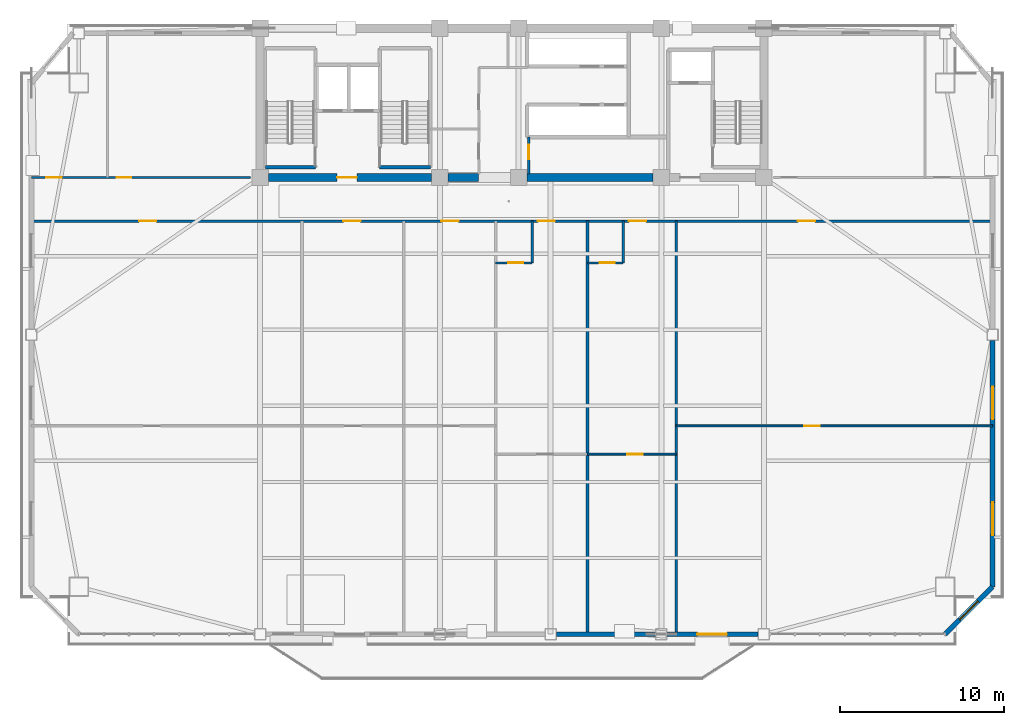
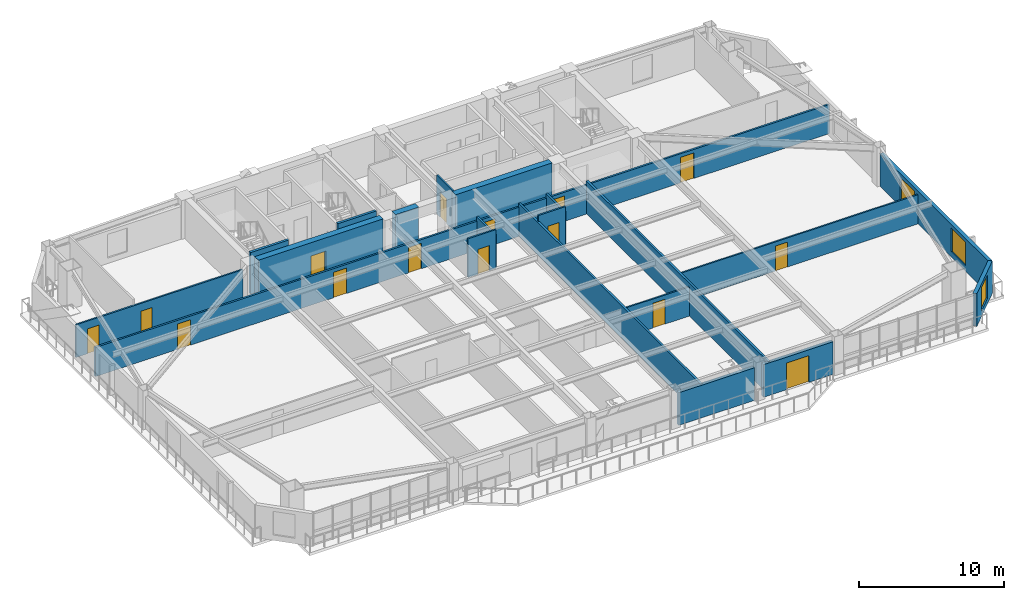
# One storey, part 8 of 15: 20 walls, 15 doors, 3 windows, 18 openings.
"""IFC4 building model written with IfcOpenShell, lengths in metres."""

from ifc_helpers import new_model, si_unit, direction, frame, frame_2d, origin, place, context, subcontext, project, spatial, rectangle, extrude, source, transform, mapped, material, layer, layer_set, type_object, element, fill, save


model = new_model("IFC4")

# Units and contexts
model_context = context("Model", 3, precision=1e-05, world=origin(), true_north=direction((0.0, 1.0)))
body_context = subcontext(model_context, "Body", "Model", "MODEL_VIEW")
ifc_project = project(units=[si_unit("LENGTHUNIT", "METRE"), si_unit("AREAUNIT", "SQUARE_METRE"), si_unit("VOLUMEUNIT", "CUBIC_METRE"), si_unit("PLANEANGLEUNIT", "RADIAN"), si_unit("MASSUNIT", "GRAM", prefix="KILO")], contexts=[model_context])

# Site, building, storey
site_placement = place(None, origin())
site = spatial("IfcSite", under=ifc_project, at=site_placement, CompositionType="ELEMENT")
building_placement = place(site_placement, origin())
building = spatial("IfcBuilding", under=site, at=building_placement, Name="Giltprow Tower", CompositionType="ELEMENT")
storey_placement = place(building_placement, frame((0.0, 0.0, 170.199951171875)))
storey = spatial("IfcBuildingStorey", under=building, at=storey_placement, Name="L42", CompositionType="ELEMENT", Elevation=170.199951171875)

# Wall, opening, window
ifc_material_1 = material(Name="Precast concrete C40", Category="concrete")
ifc_layer_1 = layer(ifc_material_1, 0.300048828125, Name="Precast concrete C40")
ifc_layer_set_1 = layer_set([ifc_layer_1], Name="Precast concrete C40")
wall_type_1 = type_object("IfcWallType", Name="EW-NOTCH-CHAMFER-300", PredefinedType="SOLIDWALL", material=ifc_layer_set_1)
wall_1_placement = place(storey_placement, frame((61.593994140625, 9.6259765625, 0.0), z_axis=(0.0, 0.0, 1.0), x_axis=(0.707106781187, 0.707106781187, 0.0)))
wall_1 = element("IfcWall", 1, at=wall_1_placement, inside=storey, type_object=wall_type_1, Name="L42 Corner Notch Wall SE", PredefinedType="SOLIDWALL", context=body_context, shape_type="SweptSolid", body=[
    extrude(rectangle(XDim=4.082763671875, YDim=0.300048828125, at=frame_2d((2.04150390625, 0.0))), origin(), (0.0, 0.0, 1.0), 2.75),
])
opening_1_placement = place(wall_1_placement, frame((1.240966796875, 0.0, 0.449951171875)))
opening_1 = element("IfcOpeningElement", 2, at=opening_1_placement, cuts=wall_1, Name="Opening WN17", PredefinedType="OPENING", context=body_context, shape_type="SweptSolid", body=[
    extrude(rectangle(XDim=1.60009765625, YDim=2.0, at=frame_2d((0.800048828125, 1.0))), frame((0.0, 0.159912109375, 0.0), z_axis=(0.0, -1.0, 0.0), x_axis=(1.0, 0.0, 0.0)), (0.0, 0.0, 1.0), 0.320068359375),
])
ifc_material_2 = material(Name="Insulated glass", Category="glass")
window_type_1 = type_object("IfcWindowType", Name="WN-COR-1600x2000", PartitioningType="SINGLE_PANEL", PredefinedType="WINDOW", material=ifc_material_2)
shared_shape_1 = source(origin(), body_context, "Body", "SweptSolid", [
    extrude(rectangle(XDim=1.60009765625, YDim=2.0, at=frame_2d((0.800048828125, 1.0))), frame((0.0, 0.030029296875, 0.0), z_axis=(0.0, -1.0, 0.0), x_axis=(1.0, 0.0, 0.0)), (0.0, 0.0, 1.0), 0.06005859375),
])
window_1_placement = place(opening_1_placement, origin())
window_1 = element("IfcWindow", 3, at=window_1_placement, inside=storey, type_object=window_type_1, Name="L42 Corner Notch Window SE", OverallHeight=2.0, OverallWidth=1.60009765625, PartitioningType="SINGLE_PANEL", PredefinedType="WINDOW", context=body_context, shape_type="MappedRepresentation", body=[
    mapped(shared_shape_1, transform((0.0, 0.0, 0.0), x_axis=(1.0, 0.0, 0.0), y_axis=(0.0, 1.0, 0.0), z_axis=(0.0, 0.0, 1.0), scale=1.0)),
])
fill(opening_1, window_1)

# Wall
ifc_layer_2 = layer(ifc_material_1, 0.280029296875, Name="Precast concrete C40")
ifc_layer_set_2 = layer_set([ifc_layer_2], Name="Precast concrete C40")
wall_type_2 = type_object("IfcWallType", Name="EW-TOW-BRONZE-280", PredefinedType="SOLIDWALL", material=ifc_layer_set_2)
wall_2_placement = place(storey_placement, frame((37.89990234375, 9.6259765625, 0.0), z_axis=(0.0, 0.0, 1.0), x_axis=(1.0, 0.0, 0.0)))
element("IfcWall", 4, at=wall_2_placement, inside=storey, type_object=wall_type_2, Name="L42 South Expressed Frame Wall 4", PredefinedType="SOLIDWALL", context=body_context, shape_type="SweptSolid", body=[
    extrude(rectangle(XDim=6.050048828125, YDim=0.280029296875, at=frame_2d((3.02490234375, 0.0))), origin(), (0.0, 0.0, 1.0), 2.75),
])

# Wall, opening, door
wall_3_placement = place(storey_placement, frame((44.64990234375, 9.6259765625, 0.0), z_axis=(0.0, 0.0, 1.0), x_axis=(1.0, 0.0, 0.0)))
wall_3 = element("IfcWall", 5, at=wall_3_placement, inside=storey, type_object=wall_type_2, Name="L42 South Expressed Frame Wall 5", PredefinedType="SOLIDWALL", context=body_context, shape_type="SweptSolid", body=[
    extrude(rectangle(XDim=5.550048828125, YDim=0.280029296875, at=frame_2d((2.77490234375, 0.0))), origin(), (0.0, 0.0, 1.0), 2.75),
])
opening_2_placement = place(wall_3_placement, frame((1.85009765625, 0.0, 0.0)))
opening_2 = element("IfcOpeningElement", 6, at=opening_2_placement, cuts=wall_3, Name="Opening ED25", PredefinedType="OPENING", context=body_context, shape_type="SweptSolid", body=[
    extrude(rectangle(XDim=1.800048828125, YDim=2.25, at=frame_2d((0.89990234375, 1.125))), frame((0.0, 0.14990234375, 0.0), z_axis=(0.0, -1.0, 0.0), x_axis=(1.0, 0.0, 0.0)), (0.0, 0.0, 1.0), 0.300048828125),
])
ifc_material_3 = material(Name="Anodized bronze and glass", Category="glass")
door_type_1 = type_object("IfcDoorType", Name="DR-BALC-SLIDE-1800", OperationType="SLIDING_TO_LEFT", PredefinedType="DOOR", material=ifc_material_3)
shared_shape_2 = source(origin(), body_context, "Body", "SweptSolid", [
    extrude(rectangle(XDim=1.800048828125, YDim=2.25, at=frame_2d((0.89990234375, 1.125))), frame((0.0, 0.02490234375, 0.0), z_axis=(0.0, -1.0, 0.0), x_axis=(1.0, 0.0, 0.0)), (0.0, 0.0, 1.0), 0.050048828125),
])
door_1_placement = place(opening_2_placement, origin())
door_1 = element("IfcDoor", 7, at=door_1_placement, inside=storey, type_object=door_type_1, Name="L42 Waterfront Balcony Sliding Door 2", OperationType="SLIDING_TO_LEFT", OverallHeight=2.25, OverallWidth=1.800048828125, PredefinedType="DOOR", context=body_context, shape_type="MappedRepresentation", body=[
    mapped(shared_shape_2, transform((0.0, 0.0, 0.0), x_axis=(1.0, 0.0, 0.0), y_axis=(0.0, 1.0, 0.0), z_axis=(0.0, 0.0, 1.0), scale=1.0)),
])
fill(opening_2, door_1)

# Wall, openings, windows
wall_4_placement = place(storey_placement, frame((64.48095703125, 12.512939453125, 0.0), z_axis=(0.0, 0.0, 1.0), x_axis=(0.0, 1.0, 0.0)))
wall_4 = element("IfcWall", 8, at=wall_4_placement, inside=storey, type_object=wall_type_2, Name="L42 E Wing Masonry Wall 1", PredefinedType="SOLIDWALL", context=body_context, shape_type="SweptSolid", body=[
    extrude(rectangle(XDim=15.0, YDim=0.280029296875, at=frame_2d((7.5, 0.0))), origin(), (0.0, 0.0, 1.0), 2.75),
])
opening_3_placement = place(wall_4_placement, frame((3.139892578125, 0.0, 0.449951171875)))
opening_3 = element("IfcOpeningElement", 9, at=opening_3_placement, cuts=wall_4, Name="Opening WN21", PredefinedType="OPENING", context=body_context, shape_type="SweptSolid", body=[
    extrude(rectangle(XDim=2.0, YDim=2.0, at=frame_2d((1.0, 1.0))), frame((0.0, 0.14990234375, 0.0), z_axis=(0.0, -1.0, 0.0), x_axis=(1.0, 0.0, 0.0)), (0.0, 0.0, 1.0), 0.300048828125),
])
opening_4_placement = place(wall_4_placement, frame((10.199951171875, 0.0, 0.449951171875)))
opening_4 = element("IfcOpeningElement", 10, at=opening_4_placement, cuts=wall_4, Name="Opening WN21", PredefinedType="OPENING", context=body_context, shape_type="SweptSolid", body=[
    extrude(rectangle(XDim=2.0, YDim=2.0, at=frame_2d((1.0, 1.0))), frame((0.0, 0.14990234375, 0.0), z_axis=(0.0, -1.0, 0.0), x_axis=(1.0, 0.0, 0.0)), (0.0, 0.0, 1.0), 0.300048828125),
])
window_type_2 = type_object("IfcWindowType", Name="WN-HTL-2000x2000", PartitioningType="DOUBLE_PANEL_VERTICAL", PredefinedType="WINDOW", material=ifc_material_2)
shared_shape_3 = source(origin(), body_context, "Body", "SweptSolid", [
    extrude(rectangle(XDim=2.0, YDim=2.0, at=frame_2d((1.0, 1.0))), frame((0.0, 0.030029296875, 0.0), z_axis=(0.0, -1.0, 0.0), x_axis=(1.0, 0.0, 0.0)), (0.0, 0.0, 1.0), 0.06005859375),
])
window_2_placement = place(opening_3_placement, origin())
window_2 = element("IfcWindow", 11, at=window_2_placement, inside=storey, type_object=window_type_2, Name="L42 E Wing Window 1-1A", OverallHeight=2.0, OverallWidth=2.0, PartitioningType="SINGLE_PANEL", PredefinedType="WINDOW", context=body_context, shape_type="MappedRepresentation", body=[
    mapped(shared_shape_3, transform((0.0, 0.0, 0.0), x_axis=(1.0, 0.0, 0.0), y_axis=(0.0, 1.0, 0.0), z_axis=(0.0, 0.0, 1.0), scale=1.0)),
])
fill(opening_3, window_2)
window_3_placement = place(opening_4_placement, origin())
window_3 = element("IfcWindow", 12, at=window_3_placement, inside=storey, type_object=window_type_2, Name="L42 E Wing Window 1-1B", OverallHeight=2.0, OverallWidth=2.0, PartitioningType="SINGLE_PANEL", PredefinedType="WINDOW", context=body_context, shape_type="MappedRepresentation", body=[
    mapped(shared_shape_3, transform((0.0, 0.0, 0.0), x_axis=(1.0, 0.0, 0.0), y_axis=(0.0, 1.0, 0.0), z_axis=(0.0, 0.0, 1.0), scale=1.0)),
])
fill(opening_4, window_3)

# Wall, openings, doors
ifc_material_4 = material(Name="Gypsum stud partition", Category="gypsum")
ifc_layer_3 = layer(ifc_material_4, 0.14990234375, Name="Gypsum stud partition")
ifc_layer_set_3 = layer_set([ifc_layer_3], Name="Gypsum stud partition")
wall_type_3 = type_object("IfcWallType", Name="IW-CORR-150", PredefinedType="PARTITIONING", material=ifc_layer_set_3)
wall_5_placement = place(storey_placement, frame((5.9189453125, 34.800048828125, 0.0), z_axis=(0.0, 0.0, 1.0), x_axis=(1.0, 0.0, 0.0)))
wall_5 = element("IfcWall", 13, at=wall_5_placement, inside=storey, type_object=wall_type_3, Name="L42 Hotel Guestroom Corridor Wall", PredefinedType="PARTITIONING", context=body_context, shape_type="SweptSolid", body=[
    extrude(rectangle(XDim=58.56201171875, YDim=0.14990234375, at=frame_2d((29.281005859375, 0.0))), origin(), (0.0, 0.0, 1.0), 2.455078125),
])
opening_5_placement = place(wall_5_placement, frame((6.555908203125, 0.0, 0.0)))
opening_5 = element("IfcOpeningElement", 14, at=opening_5_placement, cuts=wall_5, Name="Opening ID31", PredefinedType="OPENING", context=body_context, shape_type="SweptSolid", body=[
    extrude(rectangle(XDim=1.050048828125, YDim=2.14990234375, at=frame_2d((0.52490234375, 1.074951171875))), frame((0.0, 0.0849609375, 0.0), z_axis=(0.0, -1.0, 0.0), x_axis=(1.0, 0.0, 0.0)), (0.0, 0.0, 1.0), 0.169921875),
])
opening_6_placement = place(wall_5_placement, frame((19.006103515625, 0.0, 0.0)))
opening_6 = element("IfcOpeningElement", 15, at=opening_6_placement, cuts=wall_5, Name="Opening ID31", PredefinedType="OPENING", context=body_context, shape_type="SweptSolid", body=[
    extrude(rectangle(XDim=1.050048828125, YDim=2.14990234375, at=frame_2d((0.52490234375, 1.074951171875))), frame((0.0, 0.0849609375, 0.0), z_axis=(0.0, -1.0, 0.0), x_axis=(1.0, 0.0, 0.0)), (0.0, 0.0, 1.0), 0.169921875),
])
opening_7_placement = place(wall_5_placement, frame((24.97802734375, 0.0, 0.0)))
opening_7 = element("IfcOpeningElement", 16, at=opening_7_placement, cuts=wall_5, Name="Opening ID31", PredefinedType="OPENING", context=body_context, shape_type="SweptSolid", body=[
    extrude(rectangle(XDim=1.050048828125, YDim=2.14990234375, at=frame_2d((0.52490234375, 1.074951171875))), frame((0.0, 0.0849609375, 0.0), z_axis=(0.0, -1.0, 0.0), x_axis=(1.0, 0.0, 0.0)), (0.0, 0.0, 1.0), 0.169921875),
])
opening_8_placement = place(wall_5_placement, frame((30.85107421875, 0.0, 0.0)))
opening_8 = element("IfcOpeningElement", 17, at=opening_8_placement, cuts=wall_5, Name="Opening ID31", PredefinedType="OPENING", context=body_context, shape_type="SweptSolid", body=[
    extrude(rectangle(XDim=1.050048828125, YDim=2.14990234375, at=frame_2d((0.52490234375, 1.074951171875))), frame((0.0, 0.0849609375, 0.0), z_axis=(0.0, -1.0, 0.0), x_axis=(1.0, 0.0, 0.0)), (0.0, 0.0, 1.0), 0.169921875),
])
opening_9_placement = place(wall_5_placement, frame((36.39697265625, 0.0, 0.0)))
opening_9 = element("IfcOpeningElement", 18, at=opening_9_placement, cuts=wall_5, Name="Opening ID31", PredefinedType="OPENING", context=body_context, shape_type="SweptSolid", body=[
    extrude(rectangle(XDim=1.050048828125, YDim=2.14990234375, at=frame_2d((0.52490234375, 1.074951171875))), frame((0.0, 0.0849609375, 0.0), z_axis=(0.0, -1.0, 0.0), x_axis=(1.0, 0.0, 0.0)), (0.0, 0.0, 1.0), 0.169921875),
])
opening_10_placement = place(wall_5_placement, frame((46.700927734375, 0.0, 0.0)))
opening_10 = element("IfcOpeningElement", 19, at=opening_10_placement, cuts=wall_5, Name="Opening ID31", PredefinedType="OPENING", context=body_context, shape_type="SweptSolid", body=[
    extrude(rectangle(XDim=1.050048828125, YDim=2.14990234375, at=frame_2d((0.52490234375, 1.074951171875))), frame((0.0, 0.0849609375, 0.0), z_axis=(0.0, -1.0, 0.0), x_axis=(1.0, 0.0, 0.0)), (0.0, 0.0, 1.0), 0.169921875),
])
ifc_material_5 = material(Name="Engineered timber", Category="wood")
door_type_2 = type_object("IfcDoorType", Name="DR-SUITE-1050", OperationType="SINGLE_SWING_LEFT", PredefinedType="DOOR", material=ifc_material_5)
shared_shape_4 = source(origin(), body_context, "Body", "SweptSolid", [
    extrude(rectangle(XDim=1.050048828125, YDim=2.14990234375, at=frame_2d((0.52490234375, 1.074951171875))), frame((0.0, 0.02490234375, 0.0), z_axis=(0.0, -1.0, 0.0), x_axis=(1.0, 0.0, 0.0)), (0.0, 0.0, 1.0), 0.050048828125),
])
door_2_placement = place(opening_5_placement, origin())
door_2 = element("IfcDoor", 20, at=door_2_placement, inside=storey, type_object=door_type_2, Name="L42 Suite Reception Foyer Door", OperationType="SINGLE_SWING_LEFT", OverallHeight=2.14990234375, OverallWidth=1.050048828125, PredefinedType="DOOR", context=body_context, shape_type="MappedRepresentation", body=[
    mapped(shared_shape_4, transform((0.0, 0.0, 0.0), x_axis=(1.0, 0.0, 0.0), y_axis=(0.0, 1.0, 0.0), z_axis=(0.0, 0.0, 1.0), scale=1.0)),
])
fill(opening_5, door_2)
door_3_placement = place(opening_6_placement, origin())
door_3 = element("IfcDoor", 21, at=door_3_placement, inside=storey, type_object=door_type_2, Name="L42 Suite Reception Foyer Door", OperationType="SINGLE_SWING_LEFT", OverallHeight=2.14990234375, OverallWidth=1.050048828125, PredefinedType="DOOR", context=body_context, shape_type="MappedRepresentation", body=[
    mapped(shared_shape_4, transform((0.0, 0.0, 0.0), x_axis=(1.0, 0.0, 0.0), y_axis=(0.0, 1.0, 0.0), z_axis=(0.0, 0.0, 1.0), scale=1.0)),
])
fill(opening_6, door_3)
door_4_placement = place(opening_7_placement, origin())
door_4 = element("IfcDoor", 22, at=door_4_placement, inside=storey, type_object=door_type_2, Name="L42 Suite Reception Foyer Door", OperationType="SINGLE_SWING_LEFT", OverallHeight=2.14990234375, OverallWidth=1.050048828125, PredefinedType="DOOR", context=body_context, shape_type="MappedRepresentation", body=[
    mapped(shared_shape_4, transform((0.0, 0.0, 0.0), x_axis=(1.0, 0.0, 0.0), y_axis=(0.0, 1.0, 0.0), z_axis=(0.0, 0.0, 1.0), scale=1.0)),
])
fill(opening_7, door_4)
door_5_placement = place(opening_8_placement, origin())
door_5 = element("IfcDoor", 23, at=door_5_placement, inside=storey, type_object=door_type_2, Name="L42 Hotel Room 4 Entry Door", OperationType="SINGLE_SWING_LEFT", OverallHeight=2.14990234375, OverallWidth=1.050048828125, PredefinedType="DOOR", context=body_context, shape_type="MappedRepresentation", body=[
    mapped(shared_shape_4, transform((0.0, 0.0, 0.0), x_axis=(1.0, 0.0, 0.0), y_axis=(0.0, 1.0, 0.0), z_axis=(0.0, 0.0, 1.0), scale=1.0)),
])
fill(opening_8, door_5)
door_6_placement = place(opening_9_placement, origin())
door_6 = element("IfcDoor", 24, at=door_6_placement, inside=storey, type_object=door_type_2, Name="L42 Hotel Room 5 Entry Door", OperationType="SINGLE_SWING_RIGHT", OverallHeight=2.14990234375, OverallWidth=1.050048828125, PredefinedType="DOOR", context=body_context, shape_type="MappedRepresentation", body=[
    mapped(shared_shape_4, transform((0.0, 0.0, 0.0), x_axis=(1.0, 0.0, 0.0), y_axis=(0.0, 1.0, 0.0), z_axis=(0.0, 0.0, 1.0), scale=1.0)),
])
fill(opening_9, door_6)
door_7_placement = place(opening_10_placement, origin())
door_7 = element("IfcDoor", 25, at=door_7_placement, inside=storey, type_object=door_type_2, Name="L42 Suite Reception Foyer Door", OperationType="SINGLE_SWING_LEFT", OverallHeight=2.14990234375, OverallWidth=1.050048828125, PredefinedType="DOOR", context=body_context, shape_type="MappedRepresentation", body=[
    mapped(shared_shape_4, transform((0.0, 0.0, 0.0), x_axis=(1.0, 0.0, 0.0), y_axis=(0.0, 1.0, 0.0), z_axis=(0.0, 0.0, 1.0), scale=1.0)),
])
fill(opening_10, door_7)

# Walls
ifc_layer_4 = layer(ifc_material_4, 0.159912109375, Name="Gypsum stud partition")
ifc_layer_set_4 = layer_set([ifc_layer_4], Name="Gypsum stud partition")
wall_type_4 = type_object("IfcWallType", Name="IW-DEMISE-160", PredefinedType="PARTITIONING", material=ifc_layer_set_4)
for number, where, z_axis, x_axis, name in (
    (26, (39.800048828125, 9.6259765625, 0.0), (0.0, 0.0, 1.0), (0.0, 1.0, 0.0), "L42 Hotel Demising Wall 4"),
    (27, (45.199951171875, 9.6259765625, 0.0), (0.0, 0.0, 1.0), (0.0, 1.0, 0.0), "L42 Hotel Demising Wall 5"),
):
    element("IfcWall", number, at=place(storey_placement, frame(where, z_axis=z_axis, x_axis=x_axis)), inside=storey, type_object=wall_type_4, Name=name, PredefinedType="PARTITIONING", context=body_context, shape_type="SweptSolid", body=[
        extrude(rectangle(XDim=25.174072265625, YDim=0.159912109375, at=frame_2d((12.5869140625, 0.0))), origin(), (0.0, 0.0, 1.0), 2.755126953125),
    ])

# Wall, opening, door
ifc_layer_5 = layer(ifc_material_4, 0.1201171875, Name="Gypsum stud partition")
ifc_layer_set_5 = layer_set([ifc_layer_5], Name="Gypsum stud partition")
wall_type_5 = type_object("IfcWallType", Name="IW-ROOM-120", PredefinedType="PARTITIONING", material=ifc_layer_set_5)
wall_6_placement = place(storey_placement, frame((39.800048828125, 20.590087890625, 0.0), z_axis=(0.0, 0.0, 1.0), x_axis=(1.0, 0.0, 0.0)))
wall_6 = element("IfcWall", 28, at=wall_6_placement, inside=storey, type_object=wall_type_5, Name="L42 Suite Parlour Divider 5", PredefinedType="PARTITIONING", context=body_context, shape_type="SweptSolid", body=[
    extrude(rectangle(XDim=5.39990234375, YDim=0.1201171875, at=frame_2d((2.699951171875, 0.0))), origin(), (0.0, 0.0, 1.0), 2.455078125),
])
opening_11_placement = place(wall_6_placement, frame((2.425048828125, 0.0, 0.0)))
opening_11 = element("IfcOpeningElement", 29, at=opening_11_placement, cuts=wall_6, Name="Opening ID11", PredefinedType="OPENING", context=body_context, shape_type="SweptSolid", body=[
    extrude(rectangle(XDim=0.949951171875, YDim=2.10009765625, at=frame_2d((0.47509765625, 1.050048828125))), frame((0.0, 0.070068359375, 0.0), z_axis=(0.0, -1.0, 0.0), x_axis=(1.0, 0.0, 0.0)), (0.0, 0.0, 1.0), 0.14013671875),
])
door_type_3 = type_object("IfcDoorType", Name="DR-ROOM-950", OperationType="SINGLE_SWING_RIGHT", PredefinedType="DOOR", material=ifc_material_5)
shared_shape_5 = source(origin(), body_context, "Body", "SweptSolid", [
    extrude(rectangle(XDim=0.949951171875, YDim=2.10009765625, at=frame_2d((0.47509765625, 1.050048828125))), frame((0.0, 0.02490234375, 0.0), z_axis=(0.0, -1.0, 0.0), x_axis=(1.0, 0.0, 0.0)), (0.0, 0.0, 1.0), 0.050048828125),
])
door_8_placement = place(opening_11_placement, origin())
door_8 = element("IfcDoor", 30, at=door_8_placement, inside=storey, type_object=door_type_3, Name="L42 Harbour Parlour 5 Door", OperationType="SINGLE_SWING_RIGHT", OverallHeight=2.10009765625, OverallWidth=0.949951171875, PredefinedType="DOOR", context=body_context, shape_type="MappedRepresentation", body=[
    mapped(shared_shape_5, transform((0.0, 0.0, 0.0), x_axis=(1.0, 0.0, 0.0), y_axis=(0.0, 1.0, 0.0), z_axis=(0.0, 0.0, 1.0), scale=1.0)),
])
fill(opening_11, door_8)

wall_7_placement = place(storey_placement, frame((45.199951171875, 22.31298828125, 0.0), z_axis=(0.0, 0.0, 1.0), x_axis=(1.0, 0.0, 0.0)))
wall_7 = element("IfcWall", 31, at=wall_7_placement, inside=storey, type_object=wall_type_5, Name="L42 Amenity Mid Wall 6", PredefinedType="PARTITIONING", context=body_context, shape_type="SweptSolid", body=[
    extrude(rectangle(XDim=19.281005859375, YDim=0.1201171875, at=frame_2d((9.640625, 0.0))), origin(), (0.0, 0.0, 1.0), 2.455078125),
])
opening_12_placement = place(wall_7_placement, frame((7.798095703125, 0.0, 0.0)))
opening_12 = element("IfcOpeningElement", 32, at=opening_12_placement, cuts=wall_7, Name="Opening ID11", PredefinedType="OPENING", context=body_context, shape_type="SweptSolid", body=[
    extrude(rectangle(XDim=0.949951171875, YDim=2.10009765625, at=frame_2d((0.47509765625, 1.050048828125))), frame((0.0, 0.070068359375, 0.0), z_axis=(0.0, -1.0, 0.0), x_axis=(1.0, 0.0, 0.0)), (0.0, 0.0, 1.0), 0.14013671875),
])
door_9_placement = place(opening_12_placement, origin())
door_9 = element("IfcDoor", 33, at=door_9_placement, inside=storey, type_object=door_type_3, Name="L42 Perfume Boutique Shop 4 Inner Door", OperationType="SINGLE_SWING_RIGHT", OverallHeight=2.10009765625, OverallWidth=0.949951171875, PredefinedType="DOOR", context=body_context, shape_type="MappedRepresentation", body=[
    mapped(shared_shape_5, transform((0.0, 0.0, 0.0), x_axis=(1.0, 0.0, 0.0), y_axis=(0.0, 1.0, 0.0), z_axis=(0.0, 0.0, 1.0), scale=1.0)),
])
fill(opening_12, door_9)

# Walls
ifc_material_6 = material(Name="Concrete C40", Category="concrete")
ifc_layer_6 = layer(ifc_material_6, 0.199951171875, Name="Concrete C40")
ifc_layer_set_6 = layer_set([ifc_layer_6], Name="Concrete C40")
wall_type_6 = type_object("IfcWallType", Name="IW-STAIR-200", PredefinedType="SOLIDWALL", material=ifc_layer_set_6)
wall_8_placement = place(storey_placement, frame((20.169921875, 38.070068359375, 0.0), z_axis=(0.0, 0.0, 1.0), x_axis=(1.0, 0.0, 0.0)))
element("IfcWall", 34, at=wall_8_placement, inside=storey, type_object=wall_type_6, Name="L42 Stair ST-1 South Bearing Wall", PredefinedType="SOLIDWALL", context=body_context, shape_type="SweptSolid", body=[
    extrude(rectangle(XDim=3.050048828125, YDim=0.199951171875, at=frame_2d((1.52490234375, 0.0))), origin(), (0.0, 0.0, 1.0), 3.5),
])
wall_9_placement = place(storey_placement, frame((27.139892578125, 38.070068359375, 0.0), z_axis=(0.0, 0.0, 1.0), x_axis=(1.0, 0.0, 0.0)))
element("IfcWall", 35, at=wall_9_placement, inside=storey, type_object=wall_type_6, Name="L42 Stair ST-2 South Bearing Wall", PredefinedType="SOLIDWALL", context=body_context, shape_type="SweptSolid", body=[
    extrude(rectangle(XDim=3.080078125, YDim=0.199951171875, at=frame_2d((1.5400390625, 0.0))), origin(), (0.0, 0.0, 1.0), 3.5),
])

# Wall, opening, door
ifc_material_7 = material(Name="Concrete C30", Category="concrete")
ifc_layer_7 = layer(ifc_material_7, 0.1298828125, Name="Concrete C30")
ifc_layer_set_7 = layer_set([ifc_layer_7], Name="Concrete C30")
wall_type_7 = type_object("IfcWallType", Name="IW-WET-130", PredefinedType="PARTITIONING", material=ifc_layer_set_7)
wall_10_placement = place(storey_placement, frame((36.219970703125, 37.679931640625, 0.0), z_axis=(0.0, 0.0, 1.0), x_axis=(0.0, 1.0, 0.0)))
wall_10 = element("IfcWall", 36, at=wall_10_placement, inside=storey, type_object=wall_type_7, Name="L42 Core Valet West Wall", PredefinedType="PARTITIONING", context=body_context, shape_type="SweptSolid", body=[
    extrude(rectangle(XDim=2.239990234375, YDim=0.1298828125, at=frame_2d((1.1201171875, 0.0))), origin(), (0.0, 0.0, 1.0), 3.27001953125),
])
opening_13_placement = place(wall_10_placement, frame((0.8798828125, 0.0, 0.0)))
opening_13 = element("IfcOpeningElement", 37, at=opening_13_placement, cuts=wall_10, Name="Opening ID35", PredefinedType="OPENING", context=body_context, shape_type="SweptSolid", body=[
    extrude(rectangle(XDim=0.89990234375, YDim=2.10009765625, at=frame_2d((0.449951171875, 1.050048828125))), frame((0.0, 0.074951171875, 0.0), z_axis=(0.0, -1.0, 0.0), x_axis=(1.0, 0.0, 0.0)), (0.0, 0.0, 1.0), 0.14990234375),
])
ifc_material_8 = material(Name="Steel fire leaf", Category="steel")
door_type_4 = type_object("IfcDoorType", Name="DR-SHAFT-900", OperationType="SINGLE_SWING_LEFT", PredefinedType="DOOR", material=ifc_material_8)
shared_shape_6 = source(origin(), body_context, "Body", "SweptSolid", [
    extrude(rectangle(XDim=0.89990234375, YDim=2.10009765625, at=frame_2d((0.449951171875, 1.050048828125))), frame((0.0, 0.02490234375, 0.0), z_axis=(0.0, -1.0, 0.0), x_axis=(1.0, 0.0, 0.0)), (0.0, 0.0, 1.0), 0.050048828125),
])
door_10_placement = place(opening_13_placement, origin())
door_10 = element("IfcDoor", 38, at=door_10_placement, inside=storey, type_object=door_type_4, Name="L42 Core Valet Pantry Door", OperationType="SINGLE_SWING_RIGHT", OverallHeight=2.10009765625, OverallWidth=0.89990234375, PredefinedType="DOOR", context=body_context, shape_type="MappedRepresentation", body=[
    mapped(shared_shape_6, transform((0.0, 0.0, 0.0), x_axis=(1.0, 0.0, 0.0), y_axis=(0.0, 1.0, 0.0), z_axis=(0.0, 0.0, 1.0), scale=1.0)),
])
fill(opening_13, door_10)

wall_11_placement = place(storey_placement, frame((34.199951171875, 32.25, 0.0), z_axis=(0.0, 0.0, 1.0), x_axis=(1.0, 0.0, 0.0)))
wall_11 = element("IfcWall", 39, at=wall_11_placement, inside=storey, type_object=wall_type_7, Name="L42 En-Suite South Wall 4", PredefinedType="PARTITIONING", context=body_context, shape_type="SweptSolid", body=[
    extrude(rectangle(XDim=2.22998046875, YDim=0.1298828125, at=frame_2d((1.114990234375, 0.0))), origin(), (0.0, 0.0, 1.0), 3.27001953125),
])
opening_14_placement = place(wall_11_placement, frame((0.784912109375, 0.0, 0.0)))
opening_14 = element("IfcOpeningElement", 40, at=opening_14_placement, cuts=wall_11, Name="Opening ID15", PredefinedType="OPENING", context=body_context, shape_type="SweptSolid", body=[
    extrude(rectangle(XDim=0.89990234375, YDim=2.10009765625, at=frame_2d((0.449951171875, 1.050048828125))), frame((0.0, 0.074951171875, 0.0), z_axis=(0.0, -1.0, 0.0), x_axis=(1.0, 0.0, 0.0)), (0.0, 0.0, 1.0), 0.14990234375),
])
door_type_5 = type_object("IfcDoorType", Name="DR-WC-900", OperationType="SINGLE_SWING_LEFT", PredefinedType="DOOR", material=ifc_material_5)
door_11_placement = place(opening_14_placement, origin())
door_11 = element("IfcDoor", 41, at=door_11_placement, inside=storey, type_object=door_type_5, Name="L42 En-Suite 4 Door", OperationType="SINGLE_SWING_RIGHT", OverallHeight=2.10009765625, OverallWidth=0.89990234375, PredefinedType="DOOR", context=body_context, shape_type="MappedRepresentation", body=[
    mapped(shared_shape_6, transform((0.0, 0.0, 0.0), x_axis=(1.0, 0.0, 0.0), y_axis=(0.0, 1.0, 0.0), z_axis=(0.0, 0.0, 1.0), scale=1.0)),
])
fill(opening_14, door_11)

# Wall
wall_12_placement = place(storey_placement, frame((36.429931640625, 32.25, 0.0), z_axis=(0.0, 0.0, 1.0), x_axis=(0.0, 1.0, 0.0)))
element("IfcWall", 42, at=wall_12_placement, inside=storey, type_object=wall_type_7, Name="L42 En-Suite East Wall 4", PredefinedType="PARTITIONING", context=body_context, shape_type="SweptSolid", body=[
    extrude(rectangle(XDim=2.550048828125, YDim=0.1298828125, at=frame_2d((1.27490234375, 0.0))), origin(), (0.0, 0.0, 1.0), 2.804931640625),
])

# Wall, opening, door
wall_13_placement = place(storey_placement, frame((39.800048828125, 32.25, 0.0), z_axis=(0.0, 0.0, 1.0), x_axis=(1.0, 0.0, 0.0)))
wall_13 = element("IfcWall", 43, at=wall_13_placement, inside=storey, type_object=wall_type_7, Name="L42 En-Suite South Wall 5", PredefinedType="PARTITIONING", context=body_context, shape_type="SweptSolid", body=[
    extrude(rectangle(XDim=2.176025390625, YDim=0.1298828125, at=frame_2d((1.087890625, 0.0))), origin(), (0.0, 0.0, 1.0), 3.27001953125),
])
opening_15_placement = place(wall_13_placement, frame((0.758056640625, 0.0, 0.0)))
opening_15 = element("IfcOpeningElement", 44, at=opening_15_placement, cuts=wall_13, Name="Opening ID15", PredefinedType="OPENING", context=body_context, shape_type="SweptSolid", body=[
    extrude(rectangle(XDim=0.89990234375, YDim=2.10009765625, at=frame_2d((0.449951171875, 1.050048828125))), frame((0.0, 0.074951171875, 0.0), z_axis=(0.0, -1.0, 0.0), x_axis=(1.0, 0.0, 0.0)), (0.0, 0.0, 1.0), 0.14990234375),
])
door_12_placement = place(opening_15_placement, origin())
door_12 = element("IfcDoor", 45, at=door_12_placement, inside=storey, type_object=door_type_5, Name="L42 En-Suite 5 Door", OperationType="SINGLE_SWING_LEFT", OverallHeight=2.10009765625, OverallWidth=0.89990234375, PredefinedType="DOOR", context=body_context, shape_type="MappedRepresentation", body=[
    mapped(shared_shape_6, transform((0.0, 0.0, 0.0), x_axis=(1.0, 0.0, 0.0), y_axis=(0.0, 1.0, 0.0), z_axis=(0.0, 0.0, 1.0), scale=1.0)),
])
fill(opening_15, door_12)

# Wall
wall_14_placement = place(storey_placement, frame((41.97607421875, 32.25, 0.0), z_axis=(0.0, 0.0, 1.0), x_axis=(0.0, 1.0, 0.0)))
element("IfcWall", 46, at=wall_14_placement, inside=storey, type_object=wall_type_7, Name="L42 En-Suite East Wall 5", PredefinedType="PARTITIONING", context=body_context, shape_type="SweptSolid", body=[
    extrude(rectangle(XDim=2.550048828125, YDim=0.1298828125, at=frame_2d((1.27490234375, 0.0))), origin(), (0.0, 0.0, 1.0), 2.804931640625),
])

# Wall, openings, doors
wall_15_placement = place(storey_placement, frame((5.9189453125, 37.449951171875, 0.0), z_axis=(0.0, 0.0, 1.0), x_axis=(1.0, 0.0, 0.0)))
wall_15 = element("IfcWall", 47, at=wall_15_placement, inside=storey, type_object=wall_type_7, Name="L42 NW Wing South Wall", PredefinedType="PARTITIONING", context=body_context, shape_type="SweptSolid", body=[
    extrude(rectangle(XDim=13.3310546875, YDim=0.1298828125, at=frame_2d((6.66552734375, 0.0))), origin(), (0.0, 0.0, 1.0), 2.755126953125),
])
opening_16_placement = place(wall_15_placement, frame((0.89990234375, 0.0, 0.0)))
opening_16 = element("IfcOpeningElement", 48, at=opening_16_placement, cuts=wall_15, Name="Opening ID11", PredefinedType="OPENING", context=body_context, shape_type="SweptSolid", body=[
    extrude(rectangle(XDim=0.949951171875, YDim=2.10009765625, at=frame_2d((0.47509765625, 1.050048828125))), frame((0.0, 0.074951171875, 0.0), z_axis=(0.0, -1.0, 0.0), x_axis=(1.0, 0.0, 0.0)), (0.0, 0.0, 1.0), 0.14990234375),
])
opening_17_placement = place(wall_15_placement, frame((5.180908203125, 0.0, 0.0)))
opening_17 = element("IfcOpeningElement", 49, at=opening_17_placement, cuts=wall_15, Name="Opening ID15", PredefinedType="OPENING", context=body_context, shape_type="SweptSolid", body=[
    extrude(rectangle(XDim=0.89990234375, YDim=2.10009765625, at=frame_2d((0.449951171875, 1.050048828125))), frame((0.0, 0.074951171875, 0.0), z_axis=(0.0, -1.0, 0.0), x_axis=(1.0, 0.0, 0.0)), (0.0, 0.0, 1.0), 0.14990234375),
])
door_13_placement = place(opening_17_placement, origin())
door_13 = element("IfcDoor", 50, at=door_13_placement, inside=storey, type_object=door_type_5, Name="L42 NW Washroom Door", OperationType="SINGLE_SWING_RIGHT", OverallHeight=2.10009765625, OverallWidth=0.89990234375, PredefinedType="DOOR", context=body_context, shape_type="MappedRepresentation", body=[
    mapped(shared_shape_6, transform((0.0, 0.0, 0.0), x_axis=(1.0, 0.0, 0.0), y_axis=(0.0, 1.0, 0.0), z_axis=(0.0, 0.0, 1.0), scale=1.0)),
])
fill(opening_17, door_13)
door_14_placement = place(opening_16_placement, origin())
door_14 = element("IfcDoor", 51, at=door_14_placement, inside=storey, type_object=door_type_3, Name="L42 Hotel Floor Butler Office West Door", OperationType="SINGLE_SWING_LEFT", OverallHeight=2.10009765625, OverallWidth=0.949951171875, PredefinedType="DOOR", context=body_context, shape_type="MappedRepresentation", body=[
    mapped(shared_shape_5, transform((0.0, 0.0, 0.0), x_axis=(1.0, 0.0, 0.0), y_axis=(0.0, 1.0, 0.0), z_axis=(0.0, 0.0, 1.0), scale=1.0)),
])
fill(opening_16, door_14)

# Wall, opening, door
ifc_material_9 = material(Name="Concrete C50", Category="concrete")
ifc_layer_8 = layer(ifc_material_9, 0.5, Name="Concrete C50")
ifc_layer_set_8 = layer_set([ifc_layer_8], Name="Concrete C50")
wall_type_8 = type_object("IfcWallType", Name="SW-INT-500-C50", PredefinedType="SHEAR", material=ifc_layer_set_8)
wall_16_placement = place(storey_placement, frame((20.35009765625, 37.449951171875, 0.0), z_axis=(0.0, 0.0, 1.0), x_axis=(1.0, 0.0, 0.0)))
wall_16 = element("IfcWall", 52, at=wall_16_placement, inside=storey, type_object=wall_type_8, Name="L42 South Rear Core Shear Wall West", PredefinedType="SHEAR", context=body_context, shape_type="SweptSolid", body=[
    extrude(rectangle(XDim=9.949951171875, YDim=0.5, at=frame_2d((4.97509765625, 0.0))), origin(), (0.0, 0.0, 1.0), 3.27001953125),
])
opening_18_placement = place(wall_16_placement, frame((4.199951171875, 0.0, 0.0)))
opening_18 = element("IfcOpeningElement", 53, at=opening_18_placement, cuts=wall_16, Name="Opening ID19", PredefinedType="OPENING", context=body_context, shape_type="SweptSolid", body=[
    extrude(rectangle(XDim=1.199951171875, YDim=2.14990234375, at=frame_2d((0.60009765625, 1.074951171875))), frame((0.0, 0.260009765625, 0.0), z_axis=(0.0, -1.0, 0.0), x_axis=(1.0, 0.0, 0.0)), (0.0, 0.0, 1.0), 0.52001953125),
])
door_type_6 = type_object("IfcDoorType", Name="DR-FFLOBBY-1200", OperationType="SINGLE_SWING_RIGHT", PredefinedType="DOOR", material=ifc_material_8)
shared_shape_7 = source(origin(), body_context, "Body", "SweptSolid", [
    extrude(rectangle(XDim=1.199951171875, YDim=2.14990234375, at=frame_2d((0.60009765625, 1.074951171875))), frame((0.0, 0.02490234375, 0.0), z_axis=(0.0, -1.0, 0.0), x_axis=(1.0, 0.0, 0.0)), (0.0, 0.0, 1.0), 0.050048828125),
])
door_15_placement = place(opening_18_placement, origin())
door_15 = element("IfcDoor", 54, at=door_15_placement, inside=storey, type_object=door_type_6, Name="L42 West Firefighting Lobby Entry Door", OperationType="SINGLE_SWING_RIGHT", OverallHeight=2.14990234375, OverallWidth=1.199951171875, PredefinedType="DOOR", context=body_context, shape_type="MappedRepresentation", body=[
    mapped(shared_shape_7, transform((0.0, 0.0, 0.0), x_axis=(1.0, 0.0, 0.0), y_axis=(0.0, 1.0, 0.0), z_axis=(0.0, 0.0, 1.0), scale=1.0)),
])
fill(opening_18, door_15)

# Walls
wall_17_placement = place(storey_placement, frame((31.300048828125, 37.449951171875, 0.0), z_axis=(0.0, 0.0, 1.0), x_axis=(1.0, 0.0, 0.0)))
element("IfcWall", 55, at=wall_17_placement, inside=storey, type_object=wall_type_8, Name="L42 South Rear Core Shear Wall Mid-West", PredefinedType="SHEAR", context=body_context, shape_type="SweptSolid", body=[
    extrude(rectangle(XDim=1.849853515625, YDim=0.5, at=frame_2d((0.9248046875, 0.0))), origin(), (0.0, 0.0, 1.0), 3.27001953125),
])
wall_18_placement = place(storey_placement, frame((36.10009765625, 37.449951171875, 0.0), z_axis=(0.0, 0.0, 1.0), x_axis=(1.0, 0.0, 0.0)))
element("IfcWall", 56, at=wall_18_placement, inside=storey, type_object=wall_type_8, Name="L42 South Rear Core Shear Wall Mid-East", PredefinedType="SHEAR", context=body_context, shape_type="SweptSolid", body=[
    extrude(rectangle(XDim=7.699951171875, YDim=0.5, at=frame_2d((3.85009765625, 0.0))), origin(), (0.0, 0.0, 1.0), 3.27001953125),
])

save(model, "model.ifc")
